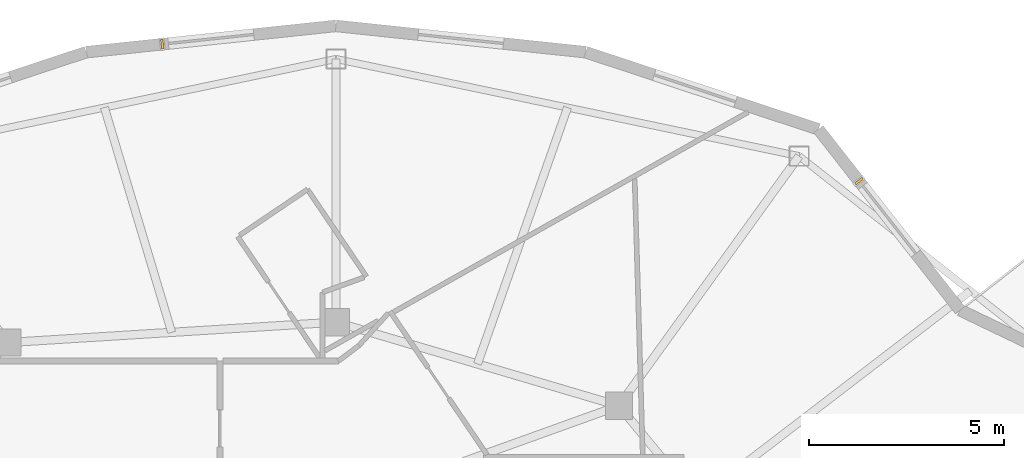
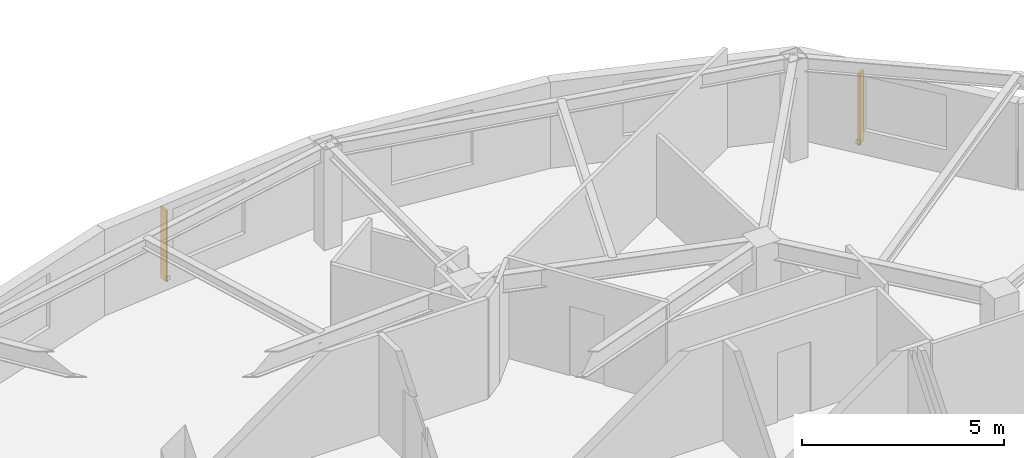
# One storey, part 13 of 13: 2 shading devices.
"""IFC4 building model written with IfcOpenShell, lengths in metres."""

from ifc_helpers import new_model, si_unit, direction, frame, origin, origin_2d, place, context, subcontext, project, spatial, rectangle, extrude, material, type_object, element, save


model = new_model("IFC4")

# Units and contexts
model_context = context("Model", 3, precision=1e-05, world=origin(), true_north=direction((0.0, 1.0)))
body_context = subcontext(model_context, "Body", "Model", "MODEL_VIEW")
ifc_project = project(units=[si_unit("LENGTHUNIT", "METRE"), si_unit("AREAUNIT", "SQUARE_METRE"), si_unit("VOLUMEUNIT", "CUBIC_METRE"), si_unit("PLANEANGLEUNIT", "RADIAN"), si_unit("MASSUNIT", "GRAM", prefix="KILO")], contexts=[model_context])

# Site, building, storey
site_placement = place(None, origin())
site = spatial("IfcSite", under=ifc_project, at=site_placement, CompositionType="ELEMENT")
building_placement = place(site_placement, origin())
building = spatial("IfcBuilding", under=site, at=building_placement, Name="Kolvaren Gate Tower and Convention Centre", CompositionType="ELEMENT")
storey_placement = place(building_placement, frame((0.0, 0.0, 196.39990234375)))
storey = spatial("IfcBuildingStorey", under=building, at=storey_placement, Name="L51", CompositionType="ELEMENT", Elevation=196.39990234375)

# Shading devices
ifc_material = material(Name="Kiln-Fired Bogota Terracotta Ceramic Louvre Profile", Category="masonry")
shading_device_type = type_object("IfcShadingDeviceType", Name="ARCH-SHD-FIN-180", PredefinedType="JALOUSIE", material=ifc_material)
for number, where, z_axis, x_axis, name in (
    (1, (43.539306640625, 42.819580078125, 0.22021484375), (0.0, 0.0, 1.0), (0.616434119112, -0.787406487651, 0.0), "Ceramic Vertical Brise-Soleil Fin FN-L51-03"),
    (2, (25.66943359375, 46.330810546875, 0.22021484375), (0.0, 0.0, 1.0), (0.994498884311, 0.104747167526, 0.0), "Ceramic Vertical Brise-Soleil Fin FN-L51-06"),
):
    element("IfcShadingDevice", number, at=place(storey_placement, frame(where, z_axis=z_axis, x_axis=x_axis)), inside=storey, type_object=shading_device_type, Name=name, PredefinedType="JALOUSIE", context=body_context, shape_type="SweptSolid", body=[
        extrude(rectangle(XDim=0.06005859375, YDim=0.239990234375, at=origin_2d()), origin(), (0.0, 0.0, 1.0), 2.14990234375),
    ])

save(model, "model.ifc")
